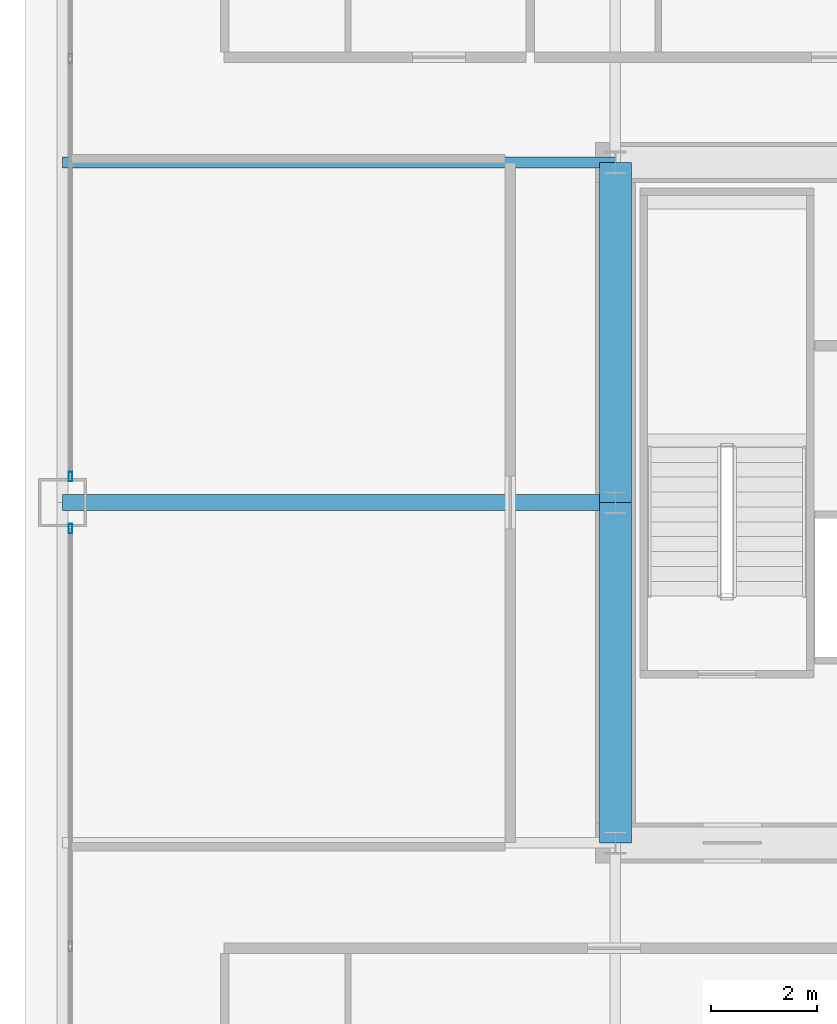
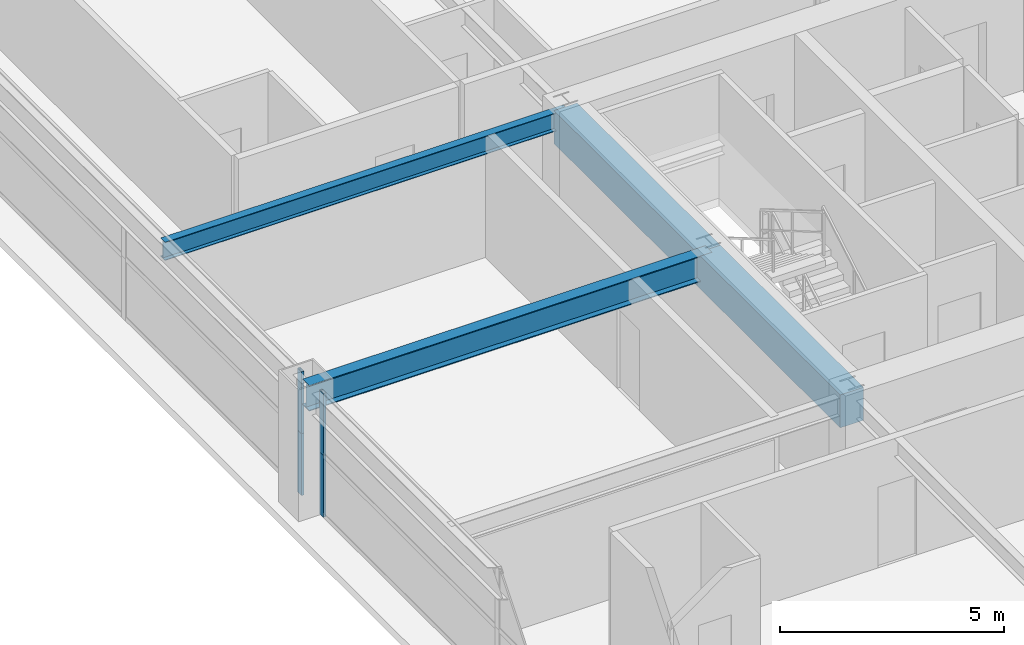
# One storey, part 11 of 38: 4 beams, 4 members, 2 elements without a shape of their own.
"""IFC4 building model written with IfcOpenShell, lengths in metres."""

from ifc_helpers import new_model, si_unit, direction, frame, origin, origin_2d, place, context, subcontext, project, spatial, rectangle, hollow_rectangle, i_section, extrude, source, transform, mapped, material, layer, layer_set, material_profile, profile_set, type_object, element, aggregate, save


model = new_model("IFC4")

# Units and contexts
model_context = context("Model", 3, precision=1e-05, world=origin(), true_north=direction((0.0, 1.0)))
body_context = subcontext(model_context, "Body", "Model", "MODEL_VIEW")
ifc_project = project(units=[si_unit("LENGTHUNIT", "METRE"), si_unit("AREAUNIT", "SQUARE_METRE"), si_unit("VOLUMEUNIT", "CUBIC_METRE"), si_unit("PLANEANGLEUNIT", "RADIAN"), si_unit("MASSUNIT", "GRAM", prefix="KILO"), si_unit("THERMODYNAMICTEMPERATUREUNIT", "KELVIN"), si_unit("POWERUNIT", "WATT")], contexts=[model_context])

# Site, building, storey
site_placement = place(None, origin())
site = spatial("IfcSite", under=ifc_project, at=site_placement, CompositionType="ELEMENT")
building_placement = place(site_placement, origin())
building = spatial("IfcBuilding", under=site, at=building_placement, Name="Yuzanri Waterfront Tower", CompositionType="ELEMENT")
storey_placement = place(building_placement, frame((0.0, 0.0, 111.800048828125)))
storey = spatial("IfcBuildingStorey", under=building, at=storey_placement, Name="L29", CompositionType="ELEMENT", Elevation=111.800048828125)

# Beams
ifc_material_1 = material(Name="Concrete C60", Category="concrete")
ifc_material_profile_1 = material_profile(ifc_material_1, rectangle(XDim=0.60009765625, YDim=0.89990234375, at=origin_2d()), Name="RC 600x900")
ifc_profile_set_1 = profile_set([ifc_material_profile_1], Name="Concrete C60")
beam_type_1 = type_object("IfcBeamType", Name="Core Coupling Lintel Concrete C60 600x900", PredefinedType="LINTEL", material=ifc_profile_set_1)
shared_shape_1 = source(origin(), body_context, "Body", "SweptSolid", [
    extrude(rectangle(XDim=0.60009765625, YDim=0.89990234375, at=origin_2d()), origin(), (0.0, 0.0, 1.0), 6.400146484375),
])
beam_1_placement = place(storey_placement, frame((23.800048828125, 19.39990234375, 2.929931640625), z_axis=(0.0, 1.0, 0.0), x_axis=(-1.0, 0.0, 0.0)))
element("IfcBeam", 1, at=beam_1_placement, inside=storey, type_object=beam_type_1, Name="L29 Core Tie Beam CW1", PredefinedType="LINTEL", context=body_context, shape_type="MappedRepresentation", body=[
    mapped(shared_shape_1, transform((0.0, 0.0, 0.0), scale=1.0)),
])
shared_shape_2 = source(origin(), body_context, "Body", "SweptSolid", [
    extrude(rectangle(XDim=0.60009765625, YDim=0.89990234375, at=origin_2d()), origin(), (0.0, 0.0, 1.0), 6.39990234375),
])
beam_2_placement = place(storey_placement, frame((23.800048828125, 25.800048828125, 2.929931640625), z_axis=(0.0, 1.0, 0.0), x_axis=(-1.0, 0.0, 0.0)))
element("IfcBeam", 2, at=beam_2_placement, inside=storey, type_object=beam_type_1, Name="L29 Core Tie Beam CW2", PredefinedType="LINTEL", context=body_context, shape_type="MappedRepresentation", body=[
    mapped(shared_shape_2, transform((0.0, 0.0, 0.0), scale=1.0)),
])
ifc_material_2 = material(Name="Steel Q355B", Category="steel")
ifc_material_profile_2 = material_profile(ifc_material_2, i_section(OverallWidth=0.300048828125, OverallDepth=0.699951171875, WebThickness=0.012939453125, FlangeThickness=0.02392578125, at=origin_2d()), Name="HN 700x300x13x24")
ifc_profile_set_2 = profile_set([ifc_material_profile_2], Name="Steel Q355B")
beam_type_2 = type_object("IfcBeamType", Name="Primary Floor Girder Q355B HN 700x300", PredefinedType="BEAM", material=ifc_profile_set_2)
shared_shape_3 = source(origin(), body_context, "Body", "SweptSolid", [
    extrude(i_section(OverallWidth=0.300048828125, OverallDepth=0.699951171875, WebThickness=0.012939453125, FlangeThickness=0.02392578125, at=origin_2d()), origin(), (0.0, 0.0, 1.0), 10.400146484375),
])
beam_3_placement = place(storey_placement, frame((23.800048828125, 25.800048828125, 3.030029296875), z_axis=(-1.0, 0.0, 0.0), x_axis=(0.0, -1.0, 0.0)))
element("IfcBeam", 3, at=beam_3_placement, inside=storey, type_object=beam_type_2, Name="L29 West Grid Girder", PredefinedType="BEAM", context=body_context, shape_type="MappedRepresentation", body=[
    mapped(shared_shape_3, transform((0.0, 0.0, 0.0), scale=1.0)),
])
ifc_material_3 = material(Name="Steel Q355B", Category="steel")
ifc_material_profile_3 = material_profile(ifc_material_3, i_section(OverallWidth=0.199951171875, OverallDepth=0.5, WebThickness=0.010009765625, FlangeThickness=0.01611328125, at=origin_2d()), Name="HN 500x200x10x16")
ifc_profile_set_3 = profile_set([ifc_material_profile_3], Name="Steel Q355B")
beam_type_3 = type_object("IfcBeamType", Name="Secondary Floor Beam Q355B HN 500x200", PredefinedType="BEAM", material=ifc_profile_set_3)
shared_shape_4 = source(origin(), body_context, "Body", "SweptSolid", [
    extrude(i_section(OverallWidth=0.199951171875, OverallDepth=0.5, WebThickness=0.010009765625, FlangeThickness=0.01611328125, at=origin_2d()), origin(), (0.0, 0.0, 1.0), 10.400146484375),
])
beam_4_placement = place(storey_placement, frame((23.800048828125, 32.199951171875, 3.1298828125), z_axis=(-1.0, 0.0, 0.0), x_axis=(0.0, -1.0, 0.0)))
element("IfcBeam", 4, at=beam_4_placement, inside=storey, type_object=beam_type_3, Name="L29 West-North Core Line Beam", PredefinedType="BEAM", context=body_context, shape_type="MappedRepresentation", body=[
    mapped(shared_shape_4, transform((0.0, 0.0, 0.0), scale=1.0)),
])

# Curtain wall, members
ifc_material_4 = material(Name="Anodized Architectural Bronze", Category="metal")
ifc_layer = layer(ifc_material_4, 0.159912109375)
ifc_layer_set = layer_set([ifc_layer], Name="Anodized Architectural Bronze")
curtain_wall_type = type_object("IfcCurtainWallType", Name="Anodized Bronze Hotel Upper-Tier Solar-Control Unitized Curtain Wall 7800", PredefinedType="NOTDEFINED", material=ifc_layer_set)
curtain_wall_1_placement = place(storey_placement, origin())
curtain_wall_1 = element("IfcCurtainWall", 5, at=curtain_wall_1_placement, inside=storey, type_object=curtain_wall_type, Name="L29 Curtain Wall CW-L29-WL", PredefinedType="NOTDEFINED")
ifc_material_5 = material(Name="Anodized Architectural Bronze", Category="metal")
ifc_material_profile_4 = material_profile(ifc_material_5, hollow_rectangle(XDim=0.070068359375, YDim=0.179931640625, WallThickness=0.00390625, at=origin_2d()), Name="CWM 70x180")
ifc_profile_set_4 = profile_set([ifc_material_profile_4], Name="Anodized Architectural Bronze")
member_type = type_object("IfcMemberType", Name="Anodized Bronze Standard Curtain-Wall Mullion 70x180", PredefinedType="MULLION", material=ifc_profile_set_4)
shared_shape_5 = source(origin(), body_context, "Body", "SweptSolid", [
    extrude(hollow_rectangle(XDim=0.070068359375, YDim=0.179931640625, WallThickness=0.00390625, at=origin_2d()), origin(), (0.0, 0.0, 1.0), 1.68798828125),
])
member_1_placement = place(storey_placement, frame((13.550048828125, 25.31005859375, 0.0), z_axis=(0.0, 0.0, 1.0), x_axis=(1.0, 0.0, 0.0)))
member_1 = element("IfcMember", 6, at=member_1_placement, type_object=member_type, Name="CW-L29-WL Lower Mullion 02", PredefinedType="MULLION", context=body_context, shape_type="MappedRepresentation", body=[
    mapped(shared_shape_5, transform((0.0, 0.0, 0.0), scale=1.0)),
])
member_2_placement = place(storey_placement, frame((13.550048828125, 25.31005859375, 1.69189453125), z_axis=(0.0, 0.0, 1.0), x_axis=(1.0, 0.0, 0.0)))
member_2 = element("IfcMember", 7, at=member_2_placement, type_object=member_type, Name="CW-L29-WL Upper Mullion 02", PredefinedType="MULLION", context=body_context, shape_type="MappedRepresentation", body=[
    mapped(shared_shape_5, transform((0.0, 0.0, 0.0), scale=1.0)),
])
aggregate(curtain_wall_1, [member_1, member_2])

curtain_wall_2_placement = place(storey_placement, origin())
curtain_wall_2 = element("IfcCurtainWall", 8, at=curtain_wall_2_placement, inside=storey, type_object=curtain_wall_type, Name="L29 Curtain Wall CW-L29-WR", PredefinedType="NOTDEFINED")
member_3_placement = place(storey_placement, frame((13.550048828125, 26.2900390625, 0.0), z_axis=(0.0, 0.0, 1.0), x_axis=(1.0, 0.0, 0.0)))
member_3 = element("IfcMember", 9, at=member_3_placement, type_object=member_type, Name="CW-L29-WR Lower Mullion 00", PredefinedType="MULLION", context=body_context, shape_type="MappedRepresentation", body=[
    mapped(shared_shape_5, transform((0.0, 0.0, 0.0), scale=1.0)),
])
member_4_placement = place(storey_placement, frame((13.550048828125, 26.2900390625, 1.69189453125), z_axis=(0.0, 0.0, 1.0), x_axis=(1.0, 0.0, 0.0)))
member_4 = element("IfcMember", 10, at=member_4_placement, type_object=member_type, Name="CW-L29-WR Upper Mullion 00", PredefinedType="MULLION", context=body_context, shape_type="MappedRepresentation", body=[
    mapped(shared_shape_5, transform((0.0, 0.0, 0.0), scale=1.0)),
])
aggregate(curtain_wall_2, [member_3, member_4])

save(model, "model.ifc")
